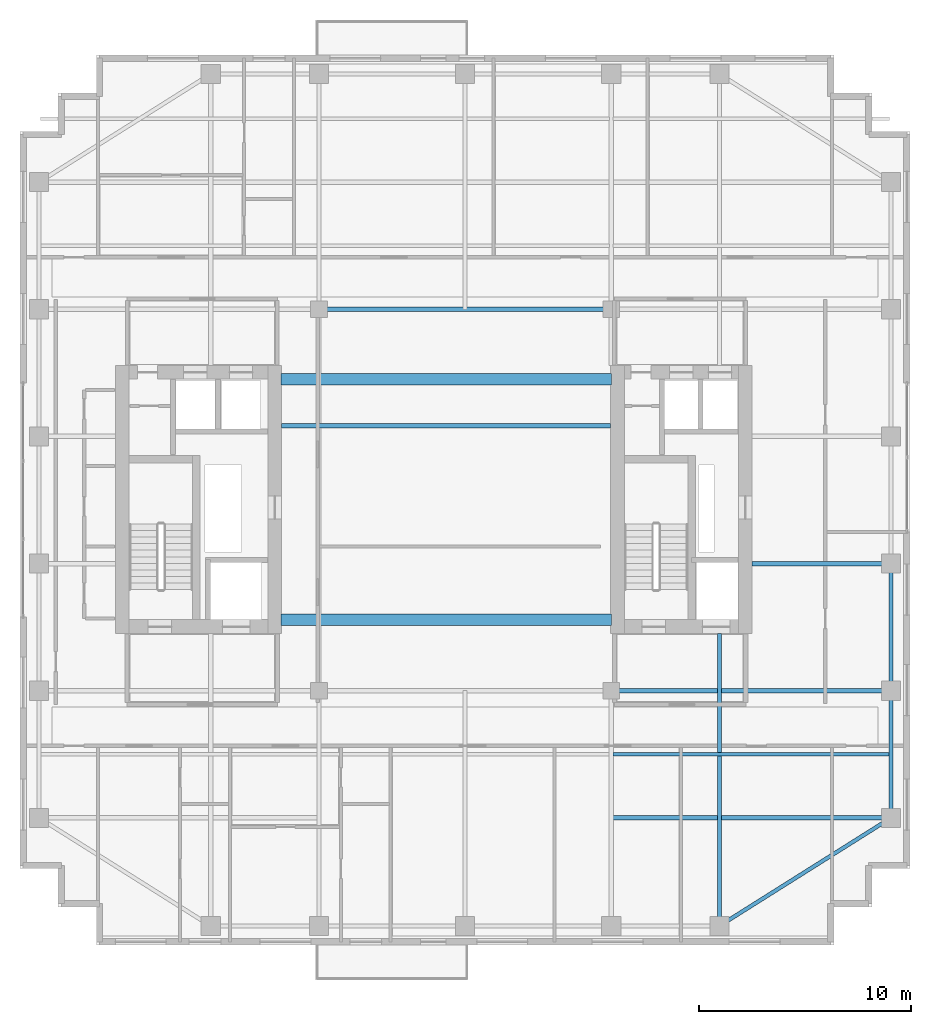
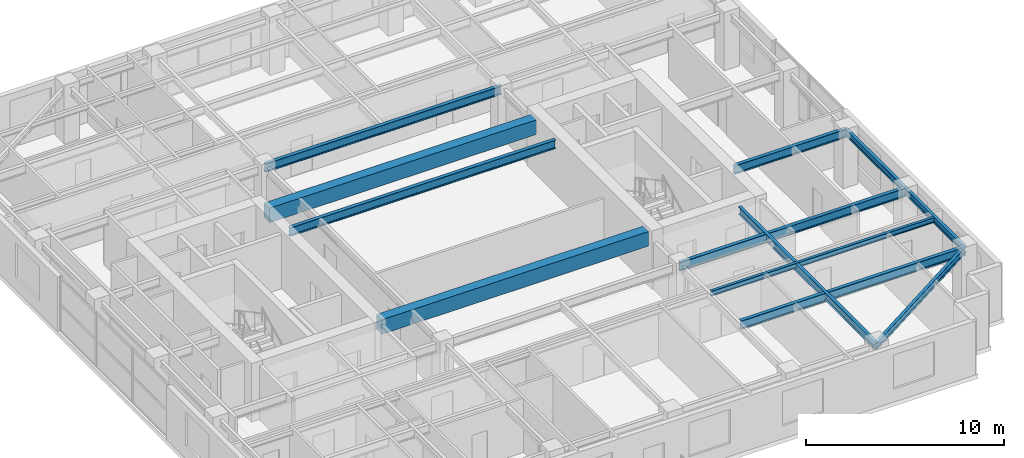
# One storey, part 5 of 15: 12 beams.
"""IFC4 building model written with IfcOpenShell, lengths in metres."""

from ifc_helpers import new_model, si_unit, direction, frame, origin, origin_2d, place, context, subcontext, project, spatial, rectangle, i_section, extrude, source, transform, mapped, material, material_profile, profile_set, type_object, element, save


model = new_model("IFC4")

# Units and contexts
model_context = context("Model", 3, precision=1e-05, world=origin(), true_north=direction((0.0, 1.0)))
body_context = subcontext(model_context, "Body", "Model", "MODEL_VIEW")
ifc_project = project(units=[si_unit("LENGTHUNIT", "METRE"), si_unit("AREAUNIT", "SQUARE_METRE"), si_unit("VOLUMEUNIT", "CUBIC_METRE"), si_unit("PLANEANGLEUNIT", "RADIAN"), si_unit("MASSUNIT", "GRAM", prefix="KILO")], contexts=[model_context])

# Site, building, storey
site_placement = place(None, origin())
site = spatial("IfcSite", under=ifc_project, at=site_placement, CompositionType="ELEMENT")
building_placement = place(site_placement, origin())
building = spatial("IfcBuilding", under=site, at=building_placement, Name="Khoralis Quay Care Tower", CompositionType="ELEMENT")
storey_placement = place(building_placement, frame((0.0, 0.0, 162.89990234375)))
storey = spatial("IfcBuildingStorey", under=building, at=storey_placement, Name="L42", CompositionType="ELEMENT", Elevation=162.89990234375)

# Beams
ifc_material_1 = material(Name="Concrete C65/80", Category="concrete")
ifc_material_profile_1 = material_profile(ifc_material_1, rectangle(XDim=0.550048828125, YDim=0.89990234375, at=origin_2d()), Name="Concrete C65/80")
ifc_profile_set_1 = profile_set([ifc_material_profile_1], Name="Concrete C65/80")
beam_type_1 = type_object("IfcBeamType", Name="CB-RC550X900", PredefinedType="LINTEL", material=ifc_profile_set_1)
shared_shape_1 = source(origin(), body_context, "Body", "SweptSolid", [
    extrude(rectangle(XDim=0.550048828125, YDim=0.89990234375, at=origin_2d()), origin(), (0.0, 0.0, 1.0), 15.579833984375),
])
for number, where, z_axis, x_axis, name in (
    (1, (15.320068359375, 15.35009765625, 2.89013671875), (1.0, 0.0, 0.0), (0.0, 1.0, 0.0), "L42 South Core Coupling Lintel"),
    (2, (15.320068359375, 26.699951171875, 2.89013671875), (1.0, 0.0, 0.0), (0.0, 1.0, 0.0), "L42 North Core Coupling Lintel"),
):
    element("IfcBeam", number, at=place(storey_placement, frame(where, z_axis=z_axis, x_axis=x_axis)), inside=storey, type_object=beam_type_1, Name=name, PredefinedType="LINTEL", context=body_context, shape_type="MappedRepresentation", body=[
        mapped(shared_shape_1, transform((0.0, 0.0, 0.0), scale=1.0)),
    ])
ifc_material_2 = material(Name="Steel S355", Category="steel")
ifc_material_profile_2 = material_profile(ifc_material_2, i_section(OverallWidth=0.179931640625, OverallDepth=0.39990234375, WebThickness=0.008544921875, FlangeThickness=0.013427734375, FilletRadius=0.02099609375, at=origin_2d()), Name="Steel S355")
ifc_profile_set_2 = profile_set([ifc_material_profile_2], Name="Steel S355")
beam_type_2 = type_object("IfcBeamType", Name="BM-IPE400", PredefinedType="SPANDREL", material=ifc_profile_set_2)
shared_shape_2 = source(origin(), body_context, "Body", "SweptSolid", [
    extrude(i_section(OverallWidth=0.179931640625, OverallDepth=0.39990234375, WebThickness=0.008544921875, FlangeThickness=0.013427734375, FilletRadius=0.02099609375, at=origin_2d()), origin(), (0.0, 0.0, 1.0), 6.0),
])
for number, where, z_axis, x_axis, name in (
    (3, (44.10009765625, 6.0, 3.14013671875), (0.0, 1.0, 0.0), (-1.0, 0.0, 0.0), "BM-TSP-L42-14"),
    (4, (44.10009765625, 12.0, 3.14013671875), (0.0, 1.0, 0.0), (-1.0, 0.0, 0.0), "BM-TSP-L42-15"),
):
    element("IfcBeam", number, at=place(storey_placement, frame(where, z_axis=z_axis, x_axis=x_axis)), inside=storey, type_object=beam_type_2, Name=name, PredefinedType="SPANDREL", context=body_context, shape_type="MappedRepresentation", body=[
        mapped(shared_shape_2, transform((0.0, 0.0, 0.0), scale=1.0)),
    ])
shared_shape_3 = source(origin(), body_context, "Body", "SweptSolid", [
    extrude(i_section(OverallWidth=0.179931640625, OverallDepth=0.39990234375, WebThickness=0.008544921875, FlangeThickness=0.013427734375, FilletRadius=0.02099609375, at=origin_2d()), origin(), (0.0, 0.0, 1.0), 9.572021484375),
])
beam_1_placement = place(storey_placement, frame((36.0, 0.89990234375, 3.14013671875), z_axis=(0.846231136359, 0.532815975602, 0.0), x_axis=(-0.532815975602, 0.846231136359, 0.0)))
element("IfcBeam", 5, at=beam_1_placement, inside=storey, type_object=beam_type_2, Name="BM-TCR-L42-20", PredefinedType="SPANDREL", context=body_context, shape_type="MappedRepresentation", body=[
    mapped(shared_shape_3, transform((0.0, 0.0, 0.0), scale=1.0)),
])
ifc_material_profile_3 = material_profile(ifc_material_2, i_section(OverallWidth=0.208984375, OverallDepth=0.532958984375, WebThickness=0.01025390625, FlangeThickness=0.015625, FilletRadius=0.01611328125, at=origin_2d()), Name="Steel S355")
ifc_profile_set_3 = profile_set([ifc_material_profile_3], Name="Steel S355")
beam_type_3 = type_object("IfcBeamType", Name="BM-W530X92", PredefinedType="BEAM", material=ifc_profile_set_3)
shared_shape_4 = source(origin(), body_context, "Body", "SweptSolid", [
    extrude(i_section(OverallWidth=0.208984375, OverallDepth=0.532958984375, WebThickness=0.01025390625, FlangeThickness=0.015625, FilletRadius=0.01611328125, at=origin_2d()), origin(), (0.0, 0.0, 1.0), 13.1162109375),
])
beam_2_placement = place(storey_placement, frame((30.98388671875, 6.0, 3.073486328125), z_axis=(1.0, 0.0, 0.0), x_axis=(0.0, 1.0, 0.0)))
element("IfcBeam", 6, at=beam_2_placement, inside=storey, type_object=beam_type_3, Name="BM-TGXE-L42-60", PredefinedType="BEAM", context=body_context, shape_type="MappedRepresentation", body=[
    mapped(shared_shape_4, transform((0.0, 0.0, 0.0), scale=1.0)),
])
shared_shape_5 = source(origin(), body_context, "Body", "SweptSolid", [
    extrude(i_section(OverallWidth=0.208984375, OverallDepth=0.532958984375, WebThickness=0.01025390625, FlangeThickness=0.015625, FilletRadius=0.01611328125, at=origin_2d()), origin(), (0.0, 0.0, 1.0), 13.2001953125),
])
beam_3_placement = place(storey_placement, frame((30.89990234375, 12.0, 3.073486328125), z_axis=(1.0, 0.0, 0.0), x_axis=(0.0, 1.0, 0.0)))
element("IfcBeam", 7, at=beam_3_placement, inside=storey, type_object=beam_type_3, Name="BM-TGXE-L42-120", PredefinedType="BEAM", context=body_context, shape_type="MappedRepresentation", body=[
    mapped(shared_shape_5, transform((0.0, 0.0, 0.0), scale=1.0)),
])
shared_shape_6 = source(origin(), body_context, "Body", "SweptSolid", [
    extrude(i_section(OverallWidth=0.208984375, OverallDepth=0.532958984375, WebThickness=0.01025390625, FlangeThickness=0.015625, FilletRadius=0.01611328125, at=origin_2d()), origin(), (0.0, 0.0, 1.0), 6.552001953125),
])
beam_4_placement = place(storey_placement, frame((37.548095703125, 18.0, 3.073486328125), z_axis=(1.0, 0.0, 0.0), x_axis=(0.0, 1.0, 0.0)))
element("IfcBeam", 8, at=beam_4_placement, inside=storey, type_object=beam_type_3, Name="BM-TGXE-L42-180", PredefinedType="BEAM", context=body_context, shape_type="MappedRepresentation", body=[
    mapped(shared_shape_6, transform((0.0, 0.0, 0.0), scale=1.0)),
])
shared_shape_7 = source(origin(), body_context, "Body", "SweptSolid", [
    extrude(i_section(OverallWidth=0.208984375, OverallDepth=0.532958984375, WebThickness=0.01025390625, FlangeThickness=0.015625, FilletRadius=0.01611328125, at=origin_2d()), origin(), (0.0, 0.0, 1.0), 13.7998046875),
])
beam_5_placement = place(storey_placement, frame((17.10009765625, 30.0, 3.073486328125), z_axis=(1.0, 0.0, 0.0), x_axis=(0.0, 1.0, 0.0)))
element("IfcBeam", 9, at=beam_5_placement, inside=storey, type_object=beam_type_3, Name="BM-TGCC-L42-300", PredefinedType="BEAM", context=body_context, shape_type="MappedRepresentation", body=[
    mapped(shared_shape_7, transform((0.0, 0.0, 0.0), scale=1.0)),
])
shared_shape_8 = source(origin(), body_context, "Body", "SweptSolid", [
    extrude(i_section(OverallWidth=0.208984375, OverallDepth=0.532958984375, WebThickness=0.01025390625, FlangeThickness=0.015625, FilletRadius=0.01611328125, at=origin_2d()), origin(), (0.0, 0.0, 1.0), 15.524169921875),
])
beam_6_placement = place(storey_placement, frame((15.347900390625, 24.5, 3.073486328125), z_axis=(1.0, 0.0, 0.0), x_axis=(0.0, 1.0, 0.0)))
element("IfcBeam", 10, at=beam_6_placement, inside=storey, type_object=beam_type_3, Name="BM-TGCC-L42-245", PredefinedType="BEAM", context=body_context, shape_type="MappedRepresentation", body=[
    mapped(shared_shape_8, transform((0.0, 0.0, 0.0), scale=1.0)),
])
ifc_material_profile_4 = material_profile(ifc_material_2, i_section(OverallWidth=0.19189453125, OverallDepth=0.462890625, WebThickness=0.010498046875, FlangeThickness=0.017578125, FilletRadius=0.014892578125, at=origin_2d()), Name="Steel S355")
ifc_profile_set_4 = profile_set([ifc_material_profile_4], Name="Steel S355")
beam_type_4 = type_object("IfcBeamType", Name="BM-W460X89", PredefinedType="BEAM", material=ifc_profile_set_4)
shared_shape_9 = source(origin(), body_context, "Body", "SweptSolid", [
    extrude(i_section(OverallWidth=0.19189453125, OverallDepth=0.462890625, WebThickness=0.010498046875, FlangeThickness=0.017578125, FilletRadius=0.014892578125, at=origin_2d()), origin(), (0.0, 0.0, 1.0), 13.802001953125),
])
beam_7_placement = place(storey_placement, frame((36.0, 0.89990234375, 3.108642578125), z_axis=(0.0, 1.0, 0.0), x_axis=(-1.0, 0.0, 0.0)))
element("IfcBeam", 11, at=beam_7_placement, inside=storey, type_object=beam_type_4, Name="BM-TGYS-L42-360", PredefinedType="BEAM", context=body_context, shape_type="MappedRepresentation", body=[
    mapped(shared_shape_9, transform((0.0, 0.0, 0.0), scale=1.0)),
])
ifc_material_profile_5 = material_profile(ifc_material_2, i_section(OverallWidth=0.1650390625, OverallDepth=0.31005859375, WebThickness=0.005859375, FlangeThickness=0.009765625, FilletRadius=0.011962890625, at=origin_2d()), Name="Steel S355")
ifc_profile_set_5 = profile_set([ifc_material_profile_5], Name="Steel S355")
beam_type_5 = type_object("IfcBeamType", Name="BM-W310X39", PredefinedType="JOIST", material=ifc_profile_set_5)
shared_shape_10 = source(origin(), body_context, "Body", "SweptSolid", [
    extrude(i_section(OverallWidth=0.1650390625, OverallDepth=0.31005859375, WebThickness=0.005859375, FlangeThickness=0.009765625, FilletRadius=0.011962890625, at=origin_2d()), origin(), (0.0, 0.0, 1.0), 13.0400390625),
])
beam_8_placement = place(storey_placement, frame((30.98388671875, 9.0, 3.18505859375), z_axis=(1.0, 0.0, 0.0), x_axis=(0.0, 1.0, 0.0)))
element("IfcBeam", 12, at=beam_8_placement, inside=storey, type_object=beam_type_5, Name="BM-TJS-L42-24", PredefinedType="JOIST", context=body_context, shape_type="MappedRepresentation", body=[
    mapped(shared_shape_10, transform((0.0, 0.0, 0.0), scale=1.0)),
])

save(model, "model.ifc")
